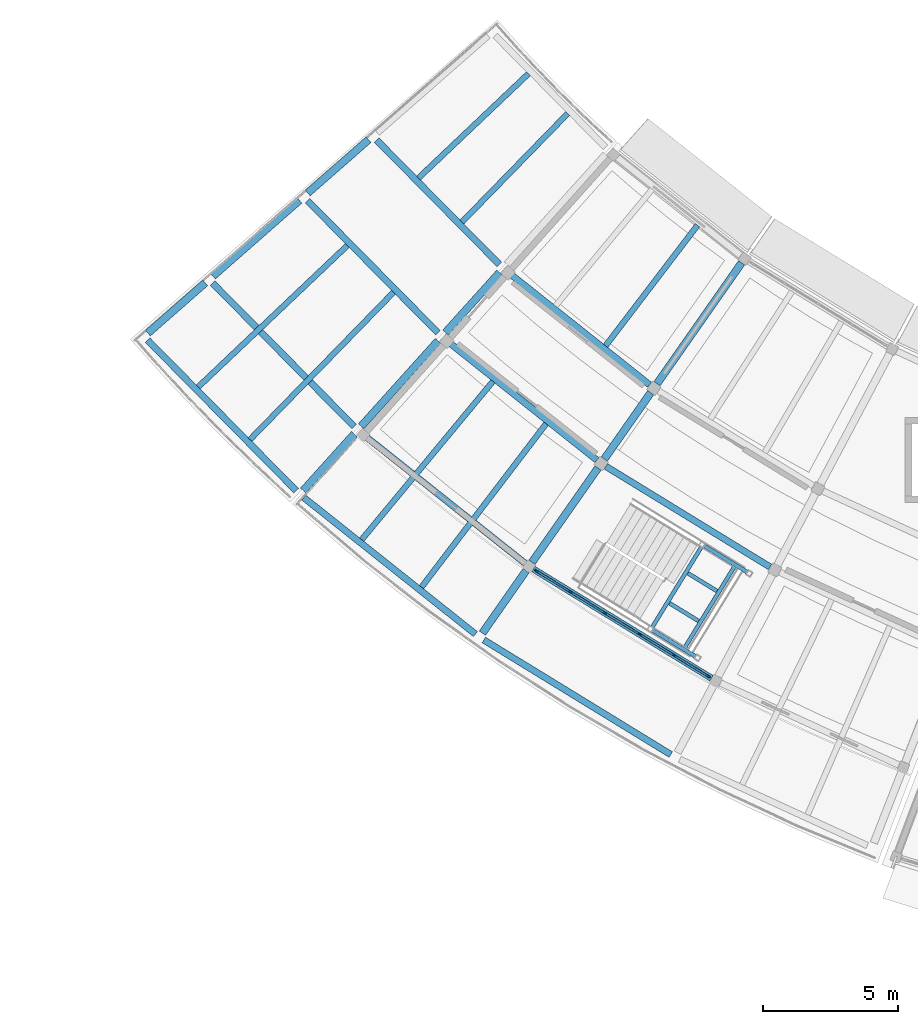
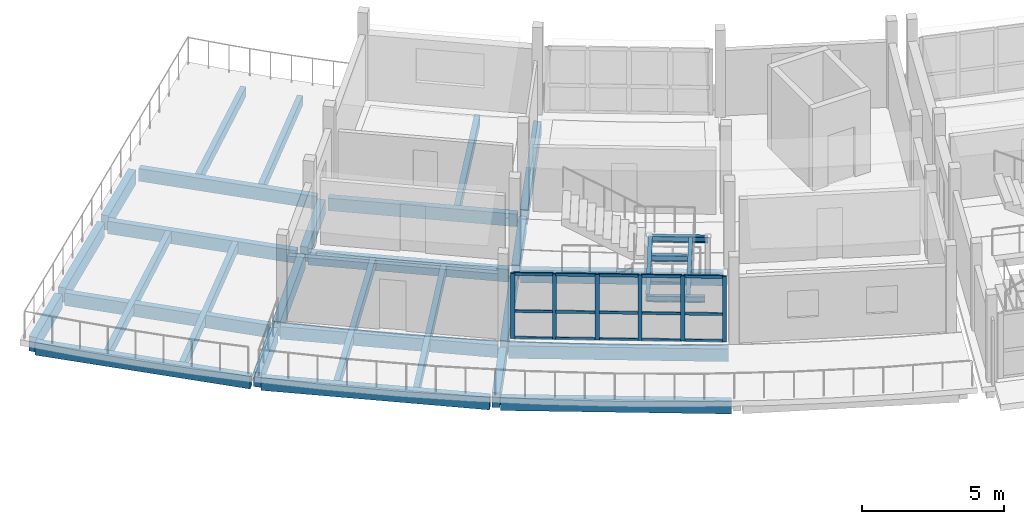
# One storey, part 10 of 36: 34 beams, 21 members, 1 element without a shape of its own.
"""IFC4 building model written with IfcOpenShell, lengths in metres."""

from ifc_helpers import new_model, si_unit, direction, frame, origin, origin_2d, place, context, subcontext, project, spatial, rectangle, i_section, extrude, material, layer, layer_set, material_profile, profile_set, type_object, element, aggregate, save


model = new_model("IFC4")

# Units and contexts
model_context = context("Model", 3, precision=1e-05, world=origin(), true_north=direction((0.0, 1.0)))
body_context = subcontext(model_context, "Body", "Model", "MODEL_VIEW")
ifc_project = project(units=[si_unit("LENGTHUNIT", "METRE"), si_unit("AREAUNIT", "SQUARE_METRE"), si_unit("VOLUMEUNIT", "CUBIC_METRE"), si_unit("PLANEANGLEUNIT", "RADIAN"), si_unit("MASSUNIT", "GRAM", prefix="KILO")], contexts=[model_context])

# Site, building, storey
site_placement = place(None, origin())
site = spatial("IfcSite", under=ifc_project, at=site_placement, CompositionType="ELEMENT")
building_placement = place(site_placement, origin())
building = spatial("IfcBuilding", under=site, at=building_placement, Name="Caldaven Crescent School", CompositionType="ELEMENT")
storey_placement = place(building_placement, frame((0.0, 0.0, 11.89990234375)))
storey = spatial("IfcBuildingStorey", under=building, at=storey_placement, Name="L03", CompositionType="ELEMENT", Elevation=11.89990234375)

# Beams
ifc_material_1 = material(Name="Glulam MLE24h (GL28h)", Category="wood")
ifc_material_profile_1 = material_profile(ifc_material_1, rectangle(XDim=0.239990234375, YDim=0.5400390625, at=origin_2d()), Name="MLE 240x540")
ifc_profile_set_1 = profile_set([ifc_material_profile_1], Name="Glulam MLE24h (GL28h)")
beam_type_1 = type_object("IfcBeamType", Name="BM-GL54", PredefinedType="BEAM", material=ifc_profile_set_1)
beam_1_placement = place(storey_placement, frame((44.301513671875, 57.42578125, -0.52001953125), z_axis=(0.702374088921, -0.71180800727, 0.0), x_axis=(0.71180800727, 0.702374088921, 0.0)))
element("IfcBeam", 1, at=beam_1_placement, inside=storey, type_object=beam_type_1, Name="BMT-V4W-L03-1361", PredefinedType="BEAM", context=body_context, shape_type="SweptSolid", body=[
    extrude(rectangle(XDim=0.239990234375, YDim=0.5400390625, at=origin_2d()), origin(), (0.0, 0.0, 1.0), 6.4697265625),
])
beam_2_placement = place(storey_placement, frame((41.74462890625, 55.184814453125, -0.52001953125), z_axis=(0.702365205172, -0.711816773168, 0.0), x_axis=(0.711816773168, 0.702365205172, 0.0)))
element("IfcBeam", 2, at=beam_2_placement, inside=storey, type_object=beam_type_1, Name="BMT-V4W-L03-1362", PredefinedType="BEAM", context=body_context, shape_type="SweptSolid", body=[
    extrude(rectangle(XDim=0.239990234375, YDim=0.5400390625, at=origin_2d()), origin(), (0.0, 0.0, 1.0), 6.870849609375),
])
beam_3_placement = place(storey_placement, frame((38.2373046875, 52.13037109375, -0.52001953125), z_axis=(0.702371849492, -0.711810217011, 0.0), x_axis=(0.711810217011, 0.702371849492, 0.0)))
element("IfcBeam", 3, at=beam_3_placement, inside=storey, type_object=beam_type_1, Name="BMT-V4W-L03-1363", PredefinedType="BEAM", context=body_context, shape_type="SweptSolid", body=[
    extrude(rectangle(XDim=0.239990234375, YDim=0.5400390625, at=origin_2d()), origin(), (0.0, 0.0, 1.0), 7.44970703125),
])
beam_4_placement = place(storey_placement, frame((49.150146484375, 52.547119140625, -0.52001953125), z_axis=(0.782609113445, -0.622513434034, 0.0), x_axis=(0.622513434034, 0.782609113445, 0.0)))
element("IfcBeam", 4, at=beam_4_placement, inside=storey, type_object=beam_type_1, Name="BMT-V4W-L03-1370", PredefinedType="BEAM", context=body_context, shape_type="SweptSolid", body=[
    extrude(rectangle(XDim=0.239990234375, YDim=0.5400390625, at=origin_2d()), origin(), (0.0, 0.0, 1.0), 6.708251953125),
])
beam_5_placement = place(storey_placement, frame((46.875, 50.020263671875, -0.52001953125), z_axis=(0.782621166449, -0.622498280982, 0.0), x_axis=(0.622498280982, 0.782621166449, 0.0)))
element("IfcBeam", 5, at=beam_5_placement, inside=storey, type_object=beam_type_1, Name="BMT-V4W-L03-1371", PredefinedType="BEAM", context=body_context, shape_type="SweptSolid", body=[
    extrude(rectangle(XDim=0.239990234375, YDim=0.5400390625, at=origin_2d()), origin(), (0.0, 0.0, 1.0), 7.12353515625),
])
beam_6_placement = place(storey_placement, frame((43.751953125, 46.573974609375, -0.52001953125), z_axis=(0.782608756687, -0.622513882541, 0.0), x_axis=(0.622513882541, 0.782608756687, 0.0)))
element("IfcBeam", 6, at=beam_6_placement, inside=storey, type_object=beam_type_1, Name="BMT-V4W-L03-1372", PredefinedType="BEAM", context=body_context, shape_type="SweptSolid", body=[
    extrude(rectangle(XDim=0.239990234375, YDim=0.5400390625, at=origin_2d()), origin(), (0.0, 0.0, 1.0), 7.720947265625),
])
beam_7_placement = place(storey_placement, frame((52.78515625, 45.351318359375, -0.52001953125), z_axis=(0.852628835063, -0.522517051989, 0.0), x_axis=(0.522517051989, 0.852628835063, 0.0)))
element("IfcBeam", 7, at=beam_7_placement, inside=storey, type_object=beam_type_1, Name="BMT-V4W-L03-1380", PredefinedType="BEAM", context=body_context, shape_type="SweptSolid", body=[
    extrude(rectangle(XDim=0.239990234375, YDim=0.5400390625, at=origin_2d()), origin(), (0.0, 0.0, 1.0), 7.12353515625),
])
beam_8_placement = place(storey_placement, frame((50.105224609375, 41.550048828125, -0.52001953125), z_axis=(0.852628517966, -0.522517569419, 0.0), x_axis=(0.522517569419, 0.852628517966, 0.0)))
element("IfcBeam", 8, at=beam_8_placement, inside=storey, type_object=beam_type_1, Name="BMT-V4W-L03-1381", PredefinedType="BEAM", context=body_context, shape_type="SweptSolid", body=[
    extrude(rectangle(XDim=0.239990234375, YDim=0.5400390625, at=origin_2d()), origin(), (0.0, 0.0, 1.0), 7.72119140625),
])
ifc_material_profile_2 = material_profile(ifc_material_1, rectangle(XDim=0.280029296875, YDim=0.6298828125, at=origin_2d()), Name="MLE 280x630")
ifc_profile_set_2 = profile_set([ifc_material_profile_2], Name="Glulam MLE24h (GL28h)")
beam_type_2 = type_object("IfcBeamType", Name="BM-GL63", PredefinedType="BEAM", material=ifc_profile_set_2)
beam_9_placement = place(storey_placement, frame((44.00341796875, 57.4365234375, -0.56494140625), z_axis=(-0.752040269784, -0.65911716153, 0.0), x_axis=(0.65911716153, -0.752040269784, 0.0)))
element("IfcBeam", 9, at=beam_9_placement, inside=storey, type_object=beam_type_2, Name="BMR-V4W-L03-1341", PredefinedType="BEAM", context=body_context, shape_type="SweptSolid", body=[
    extrude(rectangle(XDim=0.280029296875, YDim=0.6298828125, at=origin_2d()), origin(), (0.0, 0.0, 1.0), 2.989990234375),
])
beam_10_placement = place(storey_placement, frame((41.446533203125, 55.195556640625, -0.56494140625), z_axis=(-0.752000592444, -0.659162429879, 0.0), x_axis=(0.659162429879, -0.752000592444, 0.0)))
element("IfcBeam", 10, at=beam_10_placement, inside=storey, type_object=beam_type_2, Name="BMR-V4W-L03-1342", PredefinedType="BEAM", context=body_context, shape_type="SweptSolid", body=[
    extrude(rectangle(XDim=0.280029296875, YDim=0.6298828125, at=origin_2d()), origin(), (0.0, 0.0, 1.0), 4.2548828125),
])
beam_11_placement = place(storey_placement, frame((37.9609375, 52.140380859375, -0.56494140625), z_axis=(-0.751986459995, -0.65917855243, 0.0), x_axis=(0.65917855243, -0.751986459995, 0.0)))
element("IfcBeam", 11, at=beam_11_placement, inside=storey, type_object=beam_type_2, Name="BMR-V4W-L03-1343", PredefinedType="BEAM", context=body_context, shape_type="SweptSolid", body=[
    extrude(rectangle(XDim=0.280029296875, YDim=0.6298828125, at=origin_2d()), origin(), (0.0, 0.0, 1.0), 2.820068359375),
])
beam_12_placement = place(storey_placement, frame((48.8525390625, 52.522216796875, -0.56494140625), z_axis=(-0.669149671668, -0.743127658554, 0.0), x_axis=(0.743127658554, -0.669149671668, 0.0)))
element("IfcBeam", 12, at=beam_12_placement, inside=storey, type_object=beam_type_2, Name="BMR-V4W-L03-1345", PredefinedType="BEAM", context=body_context, shape_type="SweptSolid", body=[
    extrude(rectangle(XDim=0.280029296875, YDim=0.6298828125, at=origin_2d()), origin(), (0.0, 0.0, 1.0), 2.989990234375),
])
beam_13_placement = place(storey_placement, frame((46.577392578125, 49.99560546875, -0.56494140625), z_axis=(-0.669129554921, -0.743145772195, 0.0), x_axis=(0.743145772195, -0.669129554921, 0.0)))
element("IfcBeam", 13, at=beam_13_placement, inside=storey, type_object=beam_type_2, Name="BMR-V4W-L03-1346", PredefinedType="BEAM", context=body_context, shape_type="SweptSolid", body=[
    extrude(rectangle(XDim=0.280029296875, YDim=0.6298828125, at=origin_2d()), origin(), (0.0, 0.0, 1.0), 4.255126953125),
])
beam_14_placement = place(storey_placement, frame((43.47607421875, 46.551025390625, -0.56494140625), z_axis=(-0.669170391326, -0.743109001003, 0.0), x_axis=(0.743109001003, -0.669170391326, 0.0)))
element("IfcBeam", 14, at=beam_14_placement, inside=storey, type_object=beam_type_2, Name="BMR-V4W-L03-1347", PredefinedType="BEAM", context=body_context, shape_type="SweptSolid", body=[
    extrude(rectangle(XDim=0.280029296875, YDim=0.6298828125, at=origin_2d()), origin(), (0.0, 0.0, 1.0), 2.81982421875),
])
beam_15_placement = place(storey_placement, frame((57.806884765625, 52.8798828125, -0.56494140625), z_axis=(-0.573579482338, -0.819149911457, 0.0), x_axis=(0.819149911457, -0.573579482338, 0.0)))
element("IfcBeam", 15, at=beam_15_placement, inside=storey, type_object=beam_type_2, Name="BMR-V4W-L03-1348", PredefinedType="BEAM", context=body_context, shape_type="SweptSolid", body=[
    extrude(rectangle(XDim=0.280029296875, YDim=0.6298828125, at=origin_2d()), origin(), (0.0, 0.0, 1.0), 5.455078125),
])
beam_16_placement = place(storey_placement, frame((54.44287109375, 48.075439453125, -0.56494140625), z_axis=(-0.573550025111, -0.819170537004, 0.0), x_axis=(0.819170537004, -0.573550025111, 0.0)))
element("IfcBeam", 16, at=beam_16_placement, inside=storey, type_object=beam_type_2, Name="BMR-V4W-L03-1349", PredefinedType="BEAM", context=body_context, shape_type="SweptSolid", body=[
    extrude(rectangle(XDim=0.280029296875, YDim=0.6298828125, at=origin_2d()), origin(), (0.0, 0.0, 1.0), 2.989990234375),
])
beam_17_placement = place(storey_placement, frame((52.49267578125, 45.290283203125, -0.56494140625), z_axis=(-0.573570167525, -0.819156433732, 0.0), x_axis=(0.819156433732, -0.573570167525, 0.0)))
element("IfcBeam", 17, at=beam_17_placement, inside=storey, type_object=beam_type_2, Name="BMR-V4W-L03-1350", PredefinedType="BEAM", context=body_context, shape_type="SweptSolid", body=[
    extrude(rectangle(XDim=0.280029296875, YDim=0.6298828125, at=origin_2d()), origin(), (0.0, 0.0, 1.0), 4.2548828125),
])
beam_18_placement = place(storey_placement, frame((49.834228515625, 41.49365234375, -0.56494140625), z_axis=(-0.573555306454, -0.819166839196, 0.0), x_axis=(0.819166839196, -0.573555306454, 0.0)))
element("IfcBeam", 18, at=beam_18_placement, inside=storey, type_object=beam_type_2, Name="BMR-V4W-L03-1351", PredefinedType="BEAM", context=body_context, shape_type="SweptSolid", body=[
    extrude(rectangle(XDim=0.280029296875, YDim=0.6298828125, at=origin_2d()), origin(), (0.0, 0.0, 1.0), 2.820068359375),
])
ifc_material_2 = material(Name="Steel ASTM A572 Grade 50", Category="steel")
ifc_material_profile_3 = material_profile(ifc_material_2, i_section(OverallWidth=0.14599609375, OverallDepth=0.258056640625, WebThickness=0.006103515625, FlangeThickness=0.009033203125, FilletRadius=0.011962890625, at=origin_2d()), Name="W250x33")
ifc_profile_set_3 = profile_set([ifc_material_profile_3], Name="Steel ASTM A572 Grade 50")
beam_type_3 = type_object("IfcBeamType", Name="BM-W25", PredefinedType="BEAM", material=ifc_profile_set_3)
for number, where, z_axis, x_axis, name in (
    (19, (54.428955078125, 39.341552734375, 1.546142578125), (0.85267484111, -0.522441973177, 0.0), (0.522441973177, 0.85267484111, 0.0), "BM-STSIDE-ST1-L03-SL"),
    (20, (56.34130859375, 42.462158203125, 1.546142578125), (0.85267484111, -0.522441973177, 0.0), (0.522441973177, 0.85267484111, 0.0), "BM-STSIDE-ST1-L03-SR"),
):
    element("IfcBeam", number, at=place(storey_placement, frame(where, z_axis=z_axis, x_axis=x_axis)), inside=storey, type_object=beam_type_3, Name=name, PredefinedType="BEAM", context=body_context, shape_type="SweptSolid", body=[
        extrude(i_section(OverallWidth=0.14599609375, OverallDepth=0.258056640625, WebThickness=0.006103515625, FlangeThickness=0.009033203125, FilletRadius=0.011962890625, at=origin_2d()), origin(), (0.0, 0.0, 1.0), 2.050048828125),
    ])
for number, where, z_axis, x_axis, name in (
    (21, (54.45458984375, 39.325927734375, 1.546142578125), (0.522507309575, 0.852634805436, 0.0), (-0.852634805436, 0.522507309575, 0.0), "BM-STLND-ST1-L03-IN"),
    (22, (55.665283203125, 38.583984375, 1.546142578125), (0.522507309575, 0.852634805436, 0.0), (-0.852634805436, 0.522507309575, 0.0), "BM-STLND-ST1-L03-OUT"),
):
    element("IfcBeam", number, at=place(storey_placement, frame(where, z_axis=z_axis, x_axis=x_axis)), inside=storey, type_object=beam_type_3, Name=name, PredefinedType="BEAM", context=body_context, shape_type="SweptSolid", body=[
        extrude(i_section(OverallWidth=0.14599609375, OverallDepth=0.258056640625, WebThickness=0.006103515625, FlangeThickness=0.009033203125, FilletRadius=0.011962890625, at=origin_2d()), origin(), (0.0, 0.0, 1.0), 3.659912109375),
    ])

# Curtain wall, members
ifc_material_3 = material(Name="Anodised aluminium AA 6063-T6 and low-E double glazing", Category="aluminium")
ifc_layer = layer(ifc_material_3, 0.2099609375)
ifc_layer_set = layer_set([ifc_layer], Name="Anodised aluminium AA 6063-T6 and low-E double glazing")
curtain_wall_type = type_object("IfcCurtainWallType", Name="CW-SYS3", PredefinedType="NOTDEFINED", material=ifc_layer_set)
curtain_wall_placement = place(storey_placement, origin())
curtain_wall = element("IfcCurtainWall", 23, at=curtain_wall_placement, inside=storey, type_object=curtain_wall_type, Name="CW-L03-154", PredefinedType="NOTDEFINED")
ifc_material_4 = material(Name="Anodised aluminium AA 6063-T6", Category="aluminium")
ifc_material_profile_4 = material_profile(ifc_material_4, rectangle(XDim=0.06005859375, YDim=0.14990234375, at=origin_2d()), Name="CWM 60x150")
ifc_profile_set_4 = profile_set([ifc_material_profile_4], Name="Anodised aluminium AA 6063-T6")
member_type_1 = type_object("IfcMemberType", Name="CWM-T1", PredefinedType="MULLION", material=ifc_profile_set_4)
member_1_placement = place(storey_placement, frame((50.224609375, 41.476806640625, 0.0), z_axis=(0.0, 0.0, 1.0), x_axis=(0.522498283964, 0.852640336399, 0.0)))
member_1 = element("IfcMember", 24, at=member_1_placement, type_object=member_type_1, Name="CW3 mullion 1", PredefinedType="MULLION", context=body_context, shape_type="SweptSolid", body=[
    extrude(rectangle(XDim=0.06005859375, YDim=0.14990234375, at=origin_2d()), origin(), (0.0, 0.0, 1.0), 2.800048828125),
])
member_2_placement = place(storey_placement, frame((51.478271484375, 40.708740234375, 0.0), z_axis=(0.0, 0.0, 1.0), x_axis=(0.522498283964, 0.852640336399, 0.0)))
member_2 = element("IfcMember", 25, at=member_2_placement, type_object=member_type_1, Name="CW3 mullion 2", PredefinedType="MULLION", context=body_context, shape_type="SweptSolid", body=[
    extrude(rectangle(XDim=0.06005859375, YDim=0.14990234375, at=origin_2d()), origin(), (0.0, 0.0, 1.0), 2.800048828125),
])
member_3_placement = place(storey_placement, frame((52.75732421875, 39.9248046875, 0.0), z_axis=(0.0, 0.0, 1.0), x_axis=(0.522498283964, 0.852640336399, 0.0)))
member_3 = element("IfcMember", 26, at=member_3_placement, type_object=member_type_1, Name="CW3 mullion 3", PredefinedType="MULLION", context=body_context, shape_type="SweptSolid", body=[
    extrude(rectangle(XDim=0.06005859375, YDim=0.14990234375, at=origin_2d()), origin(), (0.0, 0.0, 1.0), 2.800048828125),
])
member_4_placement = place(storey_placement, frame((54.036376953125, 39.140869140625, 0.0), z_axis=(0.0, 0.0, 1.0), x_axis=(0.522498283964, 0.852640336399, 0.0)))
member_4 = element("IfcMember", 27, at=member_4_placement, type_object=member_type_1, Name="CW3 mullion 4", PredefinedType="MULLION", context=body_context, shape_type="SweptSolid", body=[
    extrude(rectangle(XDim=0.06005859375, YDim=0.14990234375, at=origin_2d()), origin(), (0.0, 0.0, 1.0), 2.800048828125),
])
member_5_placement = place(storey_placement, frame((55.315673828125, 38.35693359375, 0.0), z_axis=(0.0, 0.0, 1.0), x_axis=(0.522498283964, 0.852640336399, 0.0)))
member_5 = element("IfcMember", 28, at=member_5_placement, type_object=member_type_1, Name="CW3 mullion 5", PredefinedType="MULLION", context=body_context, shape_type="SweptSolid", body=[
    extrude(rectangle(XDim=0.06005859375, YDim=0.14990234375, at=origin_2d()), origin(), (0.0, 0.0, 1.0), 2.800048828125),
])
member_6_placement = place(storey_placement, frame((56.569091796875, 37.5888671875, 0.0), z_axis=(0.0, 0.0, 1.0), x_axis=(0.522498283964, 0.852640336399, 0.0)))
member_6 = element("IfcMember", 29, at=member_6_placement, type_object=member_type_1, Name="CW3 mullion 6", PredefinedType="MULLION", context=body_context, shape_type="SweptSolid", body=[
    extrude(rectangle(XDim=0.06005859375, YDim=0.14990234375, at=origin_2d()), origin(), (0.0, 0.0, 1.0), 2.800048828125),
])
ifc_material_profile_5 = material_profile(ifc_material_4, rectangle(XDim=0.06005859375, YDim=0.1201171875, at=origin_2d()), Name="CWT 60x120")
ifc_profile_set_5 = profile_set([ifc_material_profile_5], Name="Anodised aluminium AA 6063-T6")
member_type_2 = type_object("IfcMemberType", Name="CWT-T1", PredefinedType="USERDEFINED", material=ifc_profile_set_5)
member_7_placement = place(storey_placement, frame((50.250244140625, 41.461181640625, 0.030029296875), z_axis=(0.852643548836, -0.522493041703, 0.0), x_axis=(0.522493041703, 0.852643548836, 0.0)))
member_7 = element("IfcMember", 30, at=member_7_placement, type_object=member_type_2, Name="CW3 transom 1.1", ObjectType="TRANSOM", PredefinedType="USERDEFINED", context=body_context, shape_type="SweptSolid", body=[
    extrude(rectangle(XDim=0.06005859375, YDim=0.1201171875, at=origin_2d()), origin(), (0.0, 0.0, 1.0), 1.41015625),
])
member_8_placement = place(storey_placement, frame((50.250244140625, 41.461181640625, 1.176025390625), z_axis=(0.852643548836, -0.522493041703, 0.0), x_axis=(0.522493041703, 0.852643548836, 0.0)))
member_8 = element("IfcMember", 31, at=member_8_placement, type_object=member_type_2, Name="CW3 transom 1.2", ObjectType="TRANSOM", PredefinedType="USERDEFINED", context=body_context, shape_type="SweptSolid", body=[
    extrude(rectangle(XDim=0.06005859375, YDim=0.1201171875, at=origin_2d()), origin(), (0.0, 0.0, 1.0), 1.41015625),
])
member_9_placement = place(storey_placement, frame((50.250244140625, 41.461181640625, 2.77001953125), z_axis=(0.852643548836, -0.522493041703, 0.0), x_axis=(0.522493041703, 0.852643548836, 0.0)))
member_9 = element("IfcMember", 32, at=member_9_placement, type_object=member_type_2, Name="CW3 transom 1.3", ObjectType="TRANSOM", PredefinedType="USERDEFINED", context=body_context, shape_type="SweptSolid", body=[
    extrude(rectangle(XDim=0.06005859375, YDim=0.1201171875, at=origin_2d()), origin(), (0.0, 0.0, 1.0), 1.41015625),
])
member_10_placement = place(storey_placement, frame((51.503662109375, 40.69287109375, 0.030029296875), z_axis=(0.852669462191, -0.522450751983, 0.0), x_axis=(0.522450751983, 0.852669462191, 0.0)))
member_10 = element("IfcMember", 33, at=member_10_placement, type_object=member_type_2, Name="CW3 transom 2.1", ObjectType="TRANSOM", PredefinedType="USERDEFINED", context=body_context, shape_type="SweptSolid", body=[
    extrude(rectangle(XDim=0.06005859375, YDim=0.1201171875, at=origin_2d()), origin(), (0.0, 0.0, 1.0), 1.440185546875),
])
member_11_placement = place(storey_placement, frame((51.503662109375, 40.69287109375, 1.176025390625), z_axis=(0.852669462191, -0.522450751983, 0.0), x_axis=(0.522450751983, 0.852669462191, 0.0)))
member_11 = element("IfcMember", 34, at=member_11_placement, type_object=member_type_2, Name="CW3 transom 2.2", ObjectType="TRANSOM", PredefinedType="USERDEFINED", context=body_context, shape_type="SweptSolid", body=[
    extrude(rectangle(XDim=0.06005859375, YDim=0.1201171875, at=origin_2d()), origin(), (0.0, 0.0, 1.0), 1.440185546875),
])
member_12_placement = place(storey_placement, frame((51.503662109375, 40.69287109375, 2.77001953125), z_axis=(0.852669462191, -0.522450751983, 0.0), x_axis=(0.522450751983, 0.852669462191, 0.0)))
member_12 = element("IfcMember", 35, at=member_12_placement, type_object=member_type_2, Name="CW3 transom 2.3", ObjectType="TRANSOM", PredefinedType="USERDEFINED", context=body_context, shape_type="SweptSolid", body=[
    extrude(rectangle(XDim=0.06005859375, YDim=0.1201171875, at=origin_2d()), origin(), (0.0, 0.0, 1.0), 1.440185546875),
])
member_13_placement = place(storey_placement, frame((52.782958984375, 39.9091796875, 0.030029296875), z_axis=(0.852593944006, -0.522573981982, 0.0), x_axis=(0.522573981982, 0.852593944006, 0.0)))
member_13 = element("IfcMember", 36, at=member_13_placement, type_object=member_type_2, Name="CW3 transom 3.1", ObjectType="TRANSOM", PredefinedType="USERDEFINED", context=body_context, shape_type="SweptSolid", body=[
    extrude(rectangle(XDim=0.06005859375, YDim=0.1201171875, at=origin_2d()), origin(), (0.0, 0.0, 1.0), 1.4404296875),
])
member_14_placement = place(storey_placement, frame((52.782958984375, 39.9091796875, 1.176025390625), z_axis=(0.852593944006, -0.522573981982, 0.0), x_axis=(0.522573981982, 0.852593944006, 0.0)))
member_14 = element("IfcMember", 37, at=member_14_placement, type_object=member_type_2, Name="CW3 transom 3.2", ObjectType="TRANSOM", PredefinedType="USERDEFINED", context=body_context, shape_type="SweptSolid", body=[
    extrude(rectangle(XDim=0.06005859375, YDim=0.1201171875, at=origin_2d()), origin(), (0.0, 0.0, 1.0), 1.4404296875),
])
member_15_placement = place(storey_placement, frame((52.782958984375, 39.9091796875, 2.77001953125), z_axis=(0.852593944006, -0.522573981982, 0.0), x_axis=(0.522573981982, 0.852593944006, 0.0)))
member_15 = element("IfcMember", 38, at=member_15_placement, type_object=member_type_2, Name="CW3 transom 3.3", ObjectType="TRANSOM", PredefinedType="USERDEFINED", context=body_context, shape_type="SweptSolid", body=[
    extrude(rectangle(XDim=0.06005859375, YDim=0.1201171875, at=origin_2d()), origin(), (0.0, 0.0, 1.0), 1.4404296875),
])
member_16_placement = place(storey_placement, frame((54.06201171875, 39.125244140625, 0.030029296875), z_axis=(0.852669462191, -0.522450751983, 0.0), x_axis=(0.522450751983, 0.852669462191, 0.0)))
member_16 = element("IfcMember", 39, at=member_16_placement, type_object=member_type_2, Name="CW3 transom 4.1", ObjectType="TRANSOM", PredefinedType="USERDEFINED", context=body_context, shape_type="SweptSolid", body=[
    extrude(rectangle(XDim=0.06005859375, YDim=0.1201171875, at=origin_2d()), origin(), (0.0, 0.0, 1.0), 1.440185546875),
])
member_17_placement = place(storey_placement, frame((54.06201171875, 39.125244140625, 1.176025390625), z_axis=(0.852669462191, -0.522450751983, 0.0), x_axis=(0.522450751983, 0.852669462191, 0.0)))
member_17 = element("IfcMember", 40, at=member_17_placement, type_object=member_type_2, Name="CW3 transom 4.2", ObjectType="TRANSOM", PredefinedType="USERDEFINED", context=body_context, shape_type="SweptSolid", body=[
    extrude(rectangle(XDim=0.06005859375, YDim=0.1201171875, at=origin_2d()), origin(), (0.0, 0.0, 1.0), 1.440185546875),
])
member_18_placement = place(storey_placement, frame((54.06201171875, 39.125244140625, 2.77001953125), z_axis=(0.852669462191, -0.522450751983, 0.0), x_axis=(0.522450751983, 0.852669462191, 0.0)))
member_18 = element("IfcMember", 41, at=member_18_placement, type_object=member_type_2, Name="CW3 transom 4.3", ObjectType="TRANSOM", PredefinedType="USERDEFINED", context=body_context, shape_type="SweptSolid", body=[
    extrude(rectangle(XDim=0.06005859375, YDim=0.1201171875, at=origin_2d()), origin(), (0.0, 0.0, 1.0), 1.440185546875),
])
member_19_placement = place(storey_placement, frame((55.34130859375, 38.34130859375, 0.030029296875), z_axis=(0.852643548836, -0.522493041703, 0.0), x_axis=(0.522493041703, 0.852643548836, 0.0)))
member_19 = element("IfcMember", 42, at=member_19_placement, type_object=member_type_2, Name="CW3 transom 5.1", ObjectType="TRANSOM", PredefinedType="USERDEFINED", context=body_context, shape_type="SweptSolid", body=[
    extrude(rectangle(XDim=0.06005859375, YDim=0.1201171875, at=origin_2d()), origin(), (0.0, 0.0, 1.0), 1.41015625),
])
member_20_placement = place(storey_placement, frame((55.34130859375, 38.34130859375, 1.176025390625), z_axis=(0.852643548836, -0.522493041703, 0.0), x_axis=(0.522493041703, 0.852643548836, 0.0)))
member_20 = element("IfcMember", 43, at=member_20_placement, type_object=member_type_2, Name="CW3 transom 5.2", ObjectType="TRANSOM", PredefinedType="USERDEFINED", context=body_context, shape_type="SweptSolid", body=[
    extrude(rectangle(XDim=0.06005859375, YDim=0.1201171875, at=origin_2d()), origin(), (0.0, 0.0, 1.0), 1.41015625),
])
member_21_placement = place(storey_placement, frame((55.34130859375, 38.34130859375, 2.77001953125), z_axis=(0.852643548836, -0.522493041703, 0.0), x_axis=(0.522493041703, 0.852643548836, 0.0)))
member_21 = element("IfcMember", 44, at=member_21_placement, type_object=member_type_2, Name="CW3 transom 5.3", ObjectType="TRANSOM", PredefinedType="USERDEFINED", context=body_context, shape_type="SweptSolid", body=[
    extrude(rectangle(XDim=0.06005859375, YDim=0.1201171875, at=origin_2d()), origin(), (0.0, 0.0, 1.0), 1.41015625),
])
aggregate(curtain_wall, [member_1, member_2, member_3, member_4, member_5, member_6, member_7, member_8, member_9, member_10, member_11, member_12, member_13, member_14, member_15, member_16, member_17, member_18, member_19, member_20, member_21])

# Beams
ifc_material_profile_6 = material_profile(ifc_material_1, rectangle(XDim=0.2099609375, YDim=0.419921875, at=origin_2d()), Name="MLE 210x420")
ifc_profile_set_6 = profile_set([ifc_material_profile_6], Name="Glulam MLE24h (GL28h)")
beam_type_4 = type_object("IfcBeamType", Name="JS-GL42", PredefinedType="JOIST", material=ifc_profile_set_6)
beam_19_placement = place(storey_placement, frame((49.922607421875, 59.880126953125, -0.4599609375), z_axis=(-0.725505476942, -0.688216392515, 0.0), x_axis=(0.688216392515, -0.725505476942, 0.0)))
element("IfcBeam", 45, at=beam_19_placement, inside=storey, type_object=beam_type_4, Name="JSR-V4W-L03-1365", PredefinedType="JOIST", context=body_context, shape_type="SweptSolid", body=[
    extrude(rectangle(XDim=0.2099609375, YDim=0.419921875, at=origin_2d()), origin(), (0.0, 0.0, 1.0), 5.611083984375),
])
beam_20_placement = place(storey_placement, frame((43.221923828125, 53.52392578125, -0.4599609375), z_axis=(-0.725505603789, -0.688216258796, 0.0), x_axis=(0.688216258796, -0.725505603789, 0.0)))
element("IfcBeam", 46, at=beam_20_placement, inside=storey, type_object=beam_type_4, Name="JSR-V4W-L03-1366", PredefinedType="JOIST", context=body_context, shape_type="SweptSolid", body=[
    extrude(rectangle(XDim=0.2099609375, YDim=0.419921875, at=origin_2d()), origin(), (0.0, 0.0, 1.0), 7.60791015625),
])
beam_21_placement = place(storey_placement, frame((51.374755859375, 58.408203125, -0.4599609375), z_axis=(-0.697844122665, -0.716249663499, 0.0), x_axis=(0.716249663499, -0.697844122665, 0.0)))
element("IfcBeam", 47, at=beam_21_placement, inside=storey, type_object=beam_type_4, Name="JSR-V4W-L03-1367", PredefinedType="JOIST", context=body_context, shape_type="SweptSolid", body=[
    extrude(rectangle(XDim=0.2099609375, YDim=0.419921875, at=origin_2d()), origin(), (0.0, 0.0, 1.0), 5.61083984375),
])
beam_22_placement = place(storey_placement, frame((44.9296875, 51.793212890625, -0.4599609375), z_axis=(-0.697836867841, -0.716256731823, 0.0), x_axis=(0.716256731823, -0.697836867841, 0.0)))
element("IfcBeam", 48, at=beam_22_placement, inside=storey, type_object=beam_type_4, Name="JSR-V4W-L03-1368", PredefinedType="JOIST", context=body_context, shape_type="SweptSolid", body=[
    extrude(rectangle(XDim=0.2099609375, YDim=0.419921875, at=origin_2d()), origin(), (0.0, 0.0, 1.0), 7.60791015625),
])
beam_23_placement = place(storey_placement, frame((48.6064453125, 48.496337890625, -0.4599609375), z_axis=(-0.638316852849, -0.769773729981, 0.0), x_axis=(0.769773729981, -0.638316852849, 0.0)))
element("IfcBeam", 49, at=beam_23_placement, inside=storey, type_object=beam_type_4, Name="JSR-V4W-L03-1375", PredefinedType="JOIST", context=body_context, shape_type="SweptSolid", body=[
    extrude(rectangle(XDim=0.2099609375, YDim=0.419921875, at=origin_2d()), origin(), (0.0, 0.0, 1.0), 7.607177734375),
])
beam_24_placement = place(storey_placement, frame((56.175537109375, 54.27294921875, -0.4599609375), z_axis=(-0.606441715074, -0.795127943301, 0.0), x_axis=(0.795127943301, -0.606441715074, 0.0)))
element("IfcBeam", 50, at=beam_24_placement, inside=storey, type_object=beam_type_4, Name="JSR-V4W-L03-1376", PredefinedType="JOIST", context=body_context, shape_type="SweptSolid", body=[
    extrude(rectangle(XDim=0.2099609375, YDim=0.419921875, at=origin_2d()), origin(), (0.0, 0.0, 1.0), 5.6103515625),
])
beam_25_placement = place(storey_placement, frame((50.575439453125, 46.93017578125, -0.4599609375), z_axis=(-0.606445392969, -0.795125138168, 0.0), x_axis=(0.795125138168, -0.606445392969, 0.0)))
element("IfcBeam", 51, at=beam_25_placement, inside=storey, type_object=beam_type_4, Name="JSR-V4W-L03-1377", PredefinedType="JOIST", context=body_context, shape_type="SweptSolid", body=[
    extrude(rectangle(XDim=0.2099609375, YDim=0.419921875, at=origin_2d()), origin(), (0.0, 0.0, 1.0), 7.607177734375),
])
ifc_material_profile_7 = material_profile(ifc_material_2, i_section(OverallWidth=0.14599609375, OverallDepth=0.258056640625, WebThickness=0.006103515625, FlangeThickness=0.009033203125, FilletRadius=0.011962890625, at=origin_2d()), Name="W250x33")
ifc_profile_set_7 = profile_set([ifc_material_profile_7], Name="Steel ASTM A572 Grade 50")
beam_type_5 = type_object("IfcBeamType", Name="LN-W25", PredefinedType="LINTEL", material=ifc_profile_set_7)
beam_26_placement = place(storey_placement, frame((55.139404296875, 40.290283203125, 1.546142578125), z_axis=(0.852581757702, -0.522593863755, 0.0), x_axis=(0.522593863755, 0.852581757702, 0.0)))
element("IfcBeam", 52, at=beam_26_placement, inside=storey, type_object=beam_type_5, Name="BM-STJST-ST1-L03-JL", PredefinedType="LINTEL", context=body_context, shape_type="SweptSolid", body=[
    extrude(i_section(OverallWidth=0.14599609375, OverallDepth=0.258056640625, WebThickness=0.006103515625, FlangeThickness=0.009033203125, FilletRadius=0.011962890625, at=origin_2d()), origin(), (0.0, 0.0, 1.0), 1.260009765625),
])
beam_27_placement = place(storey_placement, frame((55.818603515625, 41.398681640625, 1.546142578125), z_axis=(0.852634663632, -0.522507540972, 0.0), x_axis=(0.522507540972, 0.852634663632, 0.0)))
element("IfcBeam", 53, at=beam_27_placement, inside=storey, type_object=beam_type_5, Name="BM-STJST-ST1-L03-JR", PredefinedType="LINTEL", context=body_context, shape_type="SweptSolid", body=[
    extrude(i_section(OverallWidth=0.14599609375, OverallDepth=0.258056640625, WebThickness=0.006103515625, FlangeThickness=0.009033203125, FilletRadius=0.011962890625, at=origin_2d()), origin(), (0.0, 0.0, 1.0), 1.26025390625),
])
ifc_material_profile_8 = material_profile(ifc_material_1, rectangle(XDim=0.239990234375, YDim=0.5400390625, at=origin_2d()), Name="MLE 240x540")
ifc_profile_set_8 = profile_set([ifc_material_profile_8], Name="Glulam MLE24h (GL28h)")
beam_type_6 = type_object("IfcBeamType", Name="SP-GL54", PredefinedType="SPANDREL", material=ifc_profile_set_8)
beam_28_placement = place(storey_placement, frame((35.830810546875, 50.02099609375, -0.52001953125), z_axis=(0.702381314046, -0.71180087783, 0.0), x_axis=(0.71180087783, 0.702381314046, 0.0)))
element("IfcBeam", 54, at=beam_28_placement, inside=storey, type_object=beam_type_6, Name="BMT-V4W-L03-1364", PredefinedType="SPANDREL", context=body_context, shape_type="SweptSolid", body=[
    extrude(rectangle(XDim=0.239990234375, YDim=0.5400390625, at=origin_2d()), origin(), (0.0, 0.0, 1.0), 7.827392578125),
])
for number, where, z_axis, x_axis, name in (
    (55, (41.610595703125, 44.196044921875, -0.52001953125), (0.782604053362, -0.622519795398, 0.0), (0.622519795398, 0.782604053362, 0.0), "BMT-V4W-L03-1373"),
    (56, (48.269775390625, 38.9287109375, -0.52001953125), (0.852635422245, -0.522506303056, 0.0), (0.522506303056, 0.852635422245, 0.0), "BMT-V4W-L03-1382"),
):
    element("IfcBeam", number, at=place(storey_placement, frame(where, z_axis=z_axis, x_axis=x_axis)), inside=storey, type_object=beam_type_6, Name=name, PredefinedType="SPANDREL", context=body_context, shape_type="SweptSolid", body=[
        extrude(rectangle(XDim=0.239990234375, YDim=0.5400390625, at=origin_2d()), origin(), (0.0, 0.0, 1.0), 8.11181640625),
    ])

save(model, "model.ifc")
